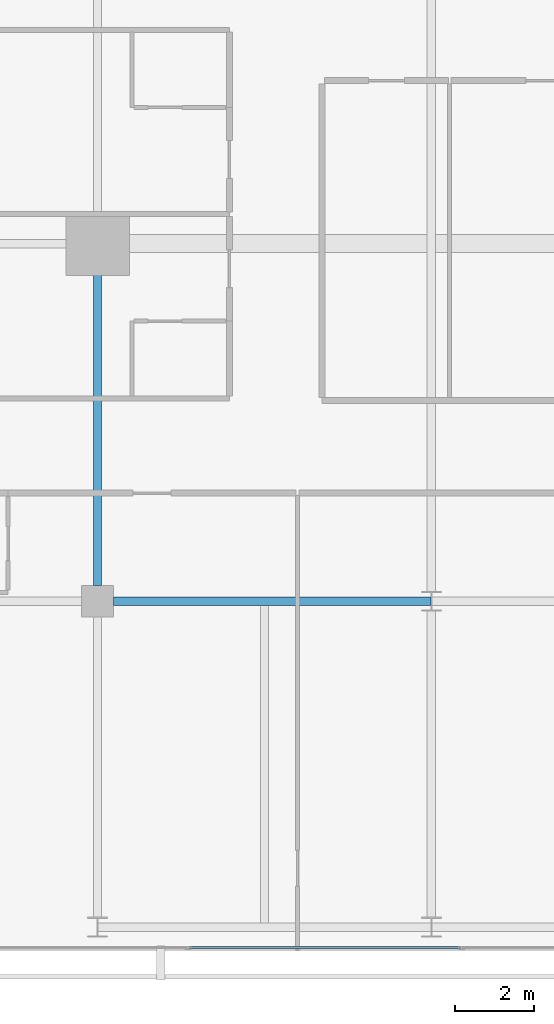
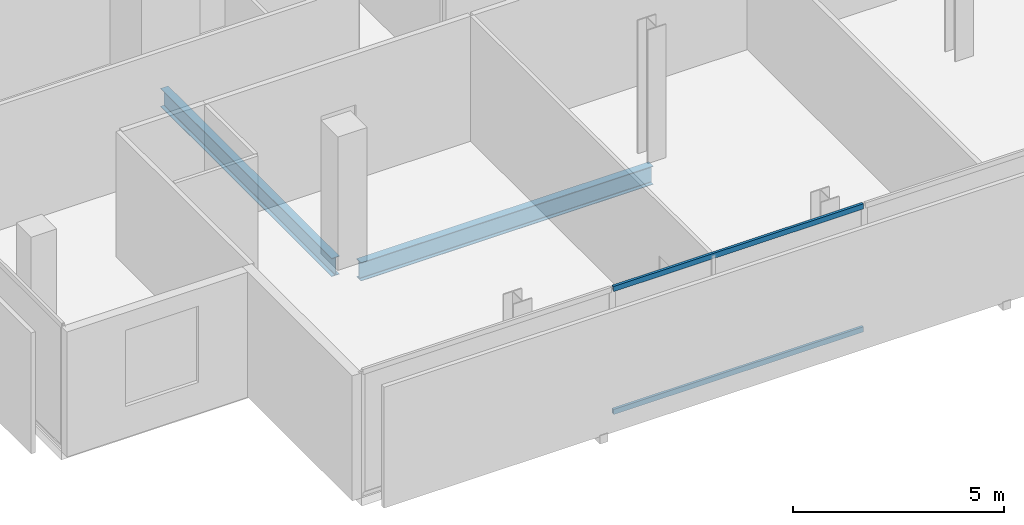
# One storey, part 5 of 25: 2 beams, 2 members, 1 element without a shape of its own.
"""IFC4 building model written with IfcOpenShell, lengths in metres."""

from ifc_helpers import new_model, si_unit, direction, frame, origin, origin_2d, place, context, subcontext, project, spatial, hollow_rectangle, i_section, extrude, material, layer, layer_set, material_profile, profile_set, type_object, element, aggregate, save


model = new_model("IFC4")

# Units and contexts
model_context = context("Model", 3, precision=1e-05, world=origin(), true_north=direction((0.0, 1.0)))
body_context = subcontext(model_context, "Body", "Model", "MODEL_VIEW")
ifc_project = project(units=[si_unit("LENGTHUNIT", "METRE"), si_unit("AREAUNIT", "SQUARE_METRE"), si_unit("VOLUMEUNIT", "CUBIC_METRE"), si_unit("PLANEANGLEUNIT", "RADIAN"), si_unit("MASSUNIT", "GRAM", prefix="KILO")], contexts=[model_context])

# Site, building, storey
site_placement = place(None, origin())
site = spatial("IfcSite", under=ifc_project, at=site_placement, CompositionType="ELEMENT")
building_placement = place(site_placement, origin())
building = spatial("IfcBuilding", under=site, at=building_placement, Name="Maruvema Waterfront Hotel and Observation Tower", CompositionType="ELEMENT")
storey_placement = place(building_placement, frame((0.0, 0.0, 274.050048828125)))
storey = spatial("IfcBuildingStorey", under=building, at=storey_placement, Name="L67", CompositionType="ELEMENT", Elevation=274.050048828125)

# Curtain wall, members
ifc_material_1 = material(Name="Anodised bronze aluminium and solar-control low-E IGU", Category="aluminium")
ifc_layer = layer(ifc_material_1, 0.159912109375, Name="Zone 3 Champagne Inner Thermal Curtain Wall System CW-04")
ifc_layer_set = layer_set([ifc_layer], Name="Anodised bronze aluminium and solar-control low-E IGU")
curtain_wall_type = type_object("IfcCurtainWallType", Name="Zone 3 Champagne Inner Thermal Curtain Wall System CW-04", PredefinedType="USERDEFINED", material=ifc_layer_set)
curtain_wall_placement = place(storey_placement, origin())
curtain_wall = element("IfcCurtainWall", 1, at=curtain_wall_placement, inside=storey, type_object=curtain_wall_type, Name="L67 Curtain Wall CW-L67-S", ObjectType="UNITISED CURTAIN WALL", PredefinedType="USERDEFINED")
ifc_material_2 = material(Name="Anodised architectural bronze aluminium", Category="aluminium")
ifc_material_profile_1 = material_profile(ifc_material_2, hollow_rectangle(XDim=0.070068359375, YDim=0.14990234375, WallThickness=0.00390625, at=origin_2d()), Name="ALU-T70x150")
ifc_profile_set_1 = profile_set([ifc_material_profile_1], Name="Anodised architectural bronze aluminium")
member_type = type_object("IfcMemberType", Name="Curtain Wall Horizontal Transom ALU-T70x150", PredefinedType="USERDEFINED", material=ifc_profile_set_1)
member_1_placement = place(storey_placement, frame((27.510009765625, 9.280029296875, 0.030029296875), z_axis=(1.0, 0.0, 0.0), x_axis=(0.0, 1.0, 0.0)))
member_1 = element("IfcMember", 2, at=member_1_placement, type_object=member_type, Name="CW-04 transom 2.1", ObjectType="TRANSOM", PredefinedType="USERDEFINED", context=body_context, shape_type="SweptSolid", body=[
    extrude(hollow_rectangle(XDim=0.070068359375, YDim=0.14990234375, WallThickness=0.00390625, at=origin_2d()), origin(), (0.0, 0.0, 1.0), 6.820068359375),
])
member_2_placement = place(storey_placement, frame((27.510009765625, 9.280029296875, 3.579833984375), z_axis=(1.0, 0.0, 0.0), x_axis=(0.0, 1.0, 0.0)))
member_2 = element("IfcMember", 3, at=member_2_placement, type_object=member_type, Name="CW-04 transom 2.2", ObjectType="TRANSOM", PredefinedType="USERDEFINED", context=body_context, shape_type="SweptSolid", body=[
    extrude(hollow_rectangle(XDim=0.070068359375, YDim=0.14990234375, WallThickness=0.00390625, at=origin_2d()), origin(), (0.0, 0.0, 1.0), 6.820068359375),
])
aggregate(curtain_wall, [member_1, member_2])

# Beams
ifc_material_3 = material(Name="Steel ASTM A572 Grade 50", Category="steel")
ifc_material_profile_2 = material_profile(ifc_material_3, i_section(OverallWidth=0.208984375, OverallDepth=0.532958984375, WebThickness=0.01025390625, FlangeThickness=0.015625, FilletRadius=0.014892578125, at=origin_2d()), Name="W530x92.0")
ifc_profile_set_2 = profile_set([ifc_material_profile_2], Name="Steel ASTM A572 Grade 50")
beam_type = type_object("IfcBeamType", Name="Primary Floor Girder W530x92.0", PredefinedType="BEAM", material=ifc_profile_set_2)
beam_1_placement = place(storey_placement, frame((25.60009765625, 18.0, -0.506591796875), z_axis=(1.0, 0.0, 0.0), x_axis=(0.0, 1.0, 0.0)))
element("IfcBeam", 4, at=beam_1_placement, inside=storey, type_object=beam_type, Name="L67 Floor Girder EW-05", PredefinedType="BEAM", context=body_context, shape_type="SweptSolid", body=[
    extrude(i_section(OverallWidth=0.208984375, OverallDepth=0.532958984375, WebThickness=0.01025390625, FlangeThickness=0.015625, FilletRadius=0.014892578125, at=origin_2d()), origin(), (0.0, 0.0, 1.0), 7.989013671875),
])
beam_2_placement = place(storey_placement, frame((25.199951171875, 18.39990234375, -0.506591796875), z_axis=(0.0, 1.0, 0.0), x_axis=(-1.0, 0.0, 0.0)))
element("IfcBeam", 5, at=beam_2_placement, inside=storey, type_object=beam_type, Name="L67 Floor Girder NS-05", PredefinedType="BEAM", context=body_context, shape_type="SweptSolid", body=[
    extrude(i_section(OverallWidth=0.208984375, OverallDepth=0.532958984375, WebThickness=0.01025390625, FlangeThickness=0.015625, FilletRadius=0.014892578125, at=origin_2d()), origin(), (0.0, 0.0, 1.0), 8.10009765625),
])

save(model, "model.ifc")
